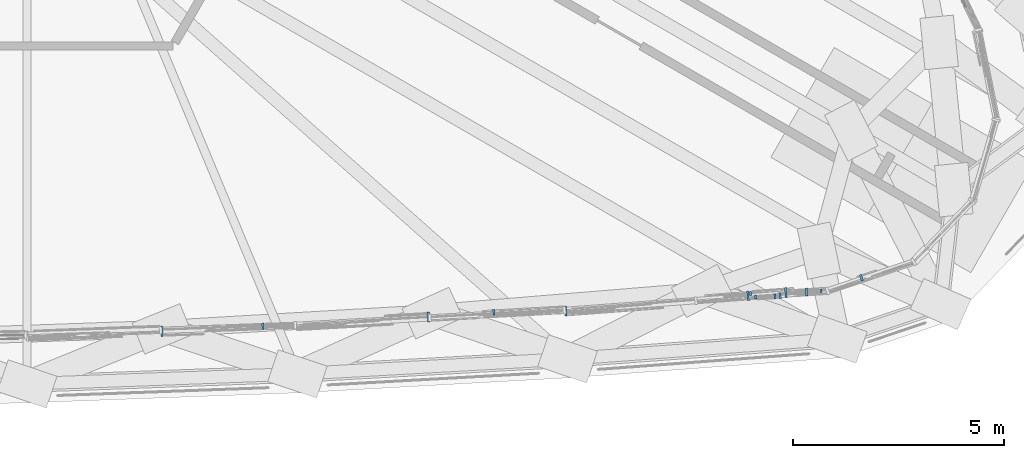
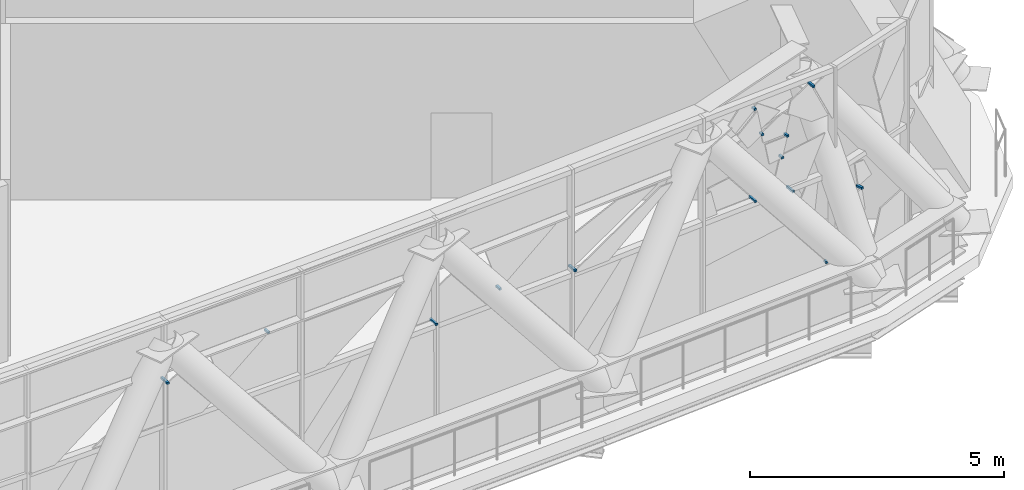
# One storey, part 35 of 43: 14 discrete accessories, 2 elements without a shape of their own.
"""IFC4 building model written with IfcOpenShell, lengths in metres."""

import ifcopenshell
import ifcopenshell.guid

model = None  # the IFC model being written
_history = None  # IfcOwnerHistory: only IFC2X3 demands one
_inside = {}  # id of a spatial element -> (the spatial element, [elements in it])
_under = {}  # id of a project, library or spatial element -> (it, [spatial elements below it])
_declared = {}  # id of a project -> (the project, [libraries it declares])
_typed = {}  # id of a type object -> (the type object, [elements of that type])
_made_of = {}  # id of a material, layer set ... -> (it, [elements and type objects made of it])


def new_model(schema):
    """Start an empty IFC model of exactly this schema.

    Asked for "IFC4X3", IfcOpenShell would pick the latest addendum, in which some entities
    have other attributes; the version numbers below select the first issue.
    IFC2X3 requires an IfcOwnerHistory on every rooted entity: one is made here for all.
    """
    global model, _history
    if schema == "IFC4X3":
        model = ifcopenshell.file(schema_version=(4, 3, 0, 0))
    else:
        model = ifcopenshell.file(schema=schema)
    _inside.clear()
    _under.clear()
    _declared.clear()
    _typed.clear()
    _made_of.clear()
    _history = None
    if model.schema == "IFC2X3":
        org = make("IfcOrganization", Name="unknown")
        user = make(
            "IfcPersonAndOrganization",
            ThePerson=make("IfcPerson", FamilyName="unknown"),
            TheOrganization=org,
        )
        app = make(
            "IfcApplication",
            ApplicationDeveloper=org,
            Version="unknown",
            ApplicationFullName="unknown",
            ApplicationIdentifier="unknown",
        )
        _history = make(
            "IfcOwnerHistory",
            OwningUser=user,
            OwningApplication=app,
            ChangeAction="ADDED",
            CreationDate=0,
        )
    return model


def make(cls, **values):
    """One entity of the class cls with the attributes given. An attribute that is None is left unset."""
    return model.create_entity(
        cls, **{name: value for name, value in values.items() if value is not None}
    )


def rooted(cls, **values):
    """An entity with a GlobalId (a new one), such as an element, a storey or a relation."""
    return make(cls, GlobalId=ifcopenshell.guid.new(), OwnerHistory=_history, **values)


def si_unit(unit_type, name, prefix=None):
    """IfcSIUnit, for example si_unit("LENGTHUNIT", "METRE", prefix="MILLI")."""
    return make("IfcSIUnit", UnitType=unit_type, Prefix=prefix, Name=name)


def assignment(units):
    """IfcUnitAssignment: the units of a project."""
    return None if units is None else make("IfcUnitAssignment", Units=units)


def point(xyz):
    """IfcCartesianPoint."""
    return None if xyz is None else make("IfcCartesianPoint", Coordinates=xyz)


def direction(xyz):
    """IfcDirection."""
    return None if xyz is None else make("IfcDirection", DirectionRatios=xyz)


def frame(location, z_axis=None, x_axis=None):
    """IfcAxis2Placement3D, a coordinate frame: its origin and axes. An axis left out is left unset."""
    return make(
        "IfcAxis2Placement3D",
        Location=point(location),
        Axis=direction(z_axis),
        RefDirection=direction(x_axis),
    )


def frame_2d(location, x_axis=None):
    """IfcAxis2Placement2D, a coordinate frame in the plane: its origin and x axis."""
    return make(
        "IfcAxis2Placement2D", Location=point(location), RefDirection=direction(x_axis)
    )


def origin():
    """The frame at (0, 0, 0) with its axes left unset."""
    return frame((0.0, 0.0, 0.0))


def origin_2d():
    """The frame at (0, 0) in the plane with its x axis left unset."""
    return frame_2d((0.0, 0.0))


def place(relative_to, where):
    """IfcLocalPlacement: puts the frame where relative to a parent placement (None: the world)."""
    return make(
        "IfcLocalPlacement", PlacementRelTo=relative_to, RelativePlacement=where
    )


def context(
    kind, dimensions, precision=None, world=None, true_north=None, identifier=None
):
    """IfcGeometricRepresentationContext, for example the 3D "Model" context."""
    return make(
        "IfcGeometricRepresentationContext",
        ContextIdentifier=identifier,
        ContextType=kind,
        CoordinateSpaceDimension=dimensions,
        Precision=precision,
        WorldCoordinateSystem=world,
        TrueNorth=true_north,
    )


def subcontext(parent, identifier, kind, view, scale=None):
    """IfcGeometricRepresentationSubContext, for example "Body" below "Model"."""
    return make(
        "IfcGeometricRepresentationSubContext",
        ContextIdentifier=identifier,
        ContextType=kind,
        ParentContext=parent,
        TargetScale=scale,
        TargetView=view,
    )


def project(units=None, contexts=None):
    """IfcProject with its units and contexts."""
    return rooted(
        "IfcProject",
        Name="project",
        RepresentationContexts=contexts,
        UnitsInContext=assignment(units),
    )


def spatial(cls, under=None, at=None, **own):
    """A site, building, storey or space (cls), placed at a placement, below another one or the project."""
    s = rooted(cls, ObjectPlacement=at, **own)
    if under is not None:
        _under.setdefault(under.id(), (under, []))[1].append(s)
    return s


def profile(cls, at=None, kind="AREA", **sizes):
    """A parametric profile (cls). Its sizes go by their IFC names, for example OverallWidth=200.0."""
    return make(cls, ProfileType=kind, Position=at, **sizes)


def rectangle(**sizes):
    """IfcRectangleProfileDef."""
    return profile("IfcRectangleProfileDef", **sizes)


def extrude(swept, where, along, depth):
    """IfcExtrudedAreaSolid: the profile swept, set in the frame where, extruded along a direction by depth."""
    return make(
        "IfcExtrudedAreaSolid",
        SweptArea=swept,
        Position=where,
        ExtrudedDirection=direction(along),
        Depth=depth,
    )


def shape(context_of_items, identifier, shape_type, items):
    """IfcShapeRepresentation: the items that make up one representation, for example the "Body"."""
    return make(
        "IfcShapeRepresentation",
        ContextOfItems=context_of_items,
        RepresentationIdentifier=identifier,
        RepresentationType=shape_type,
        Items=items,
    )


def material(Name=None, Category=None):
    """IfcMaterial."""
    return make("IfcMaterial", Name=Name, Category=Category)


def layer(
    of_material, thickness, ventilated=None, Name=None, Category=None, Priority=None
):
    """IfcMaterialLayer: one layer of a wall or slab, of a material (None: an air gap)."""
    return make(
        "IfcMaterialLayer",
        Material=of_material,
        LayerThickness=thickness,
        IsVentilated=ventilated,
        Name=Name,
        Category=Category,
        Priority=Priority,
    )


def layer_set(layers, Name=None):
    """IfcMaterialLayerSet."""
    return make("IfcMaterialLayerSet", MaterialLayers=layers, LayerSetName=Name)


def made_of(thing, what):
    """Note that an element or type object is made of a material, layer set ...; save() writes the relation."""
    if what is not None:
        _made_of.setdefault(what.id(), (what, []))[1].append(thing)
    return thing


def type_object(cls, material=None, **own):
    """A type object (cls), such as IfcWallType, which elements share."""
    return made_of(rooted(cls, **own), material)


def element(
    cls,
    number,
    at=None,
    inside=None,
    cuts=None,
    type_object=None,
    material=None,
    context=None,
    identifier="Body",
    shape_type=None,
    held_by="IfcProductDefinitionShape",
    body=None,
    shapes=None,
    **own,
):
    """One element of the class cls, such as IfcWall. Its Tag is "e" and its number.

    at: its placement. inside: the storey or other place that contains it. cuts: it is an
    opening in that element (IfcRelVoidsElement). A single representation is given by context,
    identifier, shape_type and body (its items); several are given by shapes. held_by: the class
    of the entity that holds the representations. save() writes the other relations.
    """
    e = rooted(cls, Tag="e%d" % number, ObjectPlacement=at, **own)
    if body is not None:
        shapes = [shape(context, identifier, shape_type, body)]
    if shapes is not None:
        e.Representation = make(held_by, Representations=shapes)
    if inside is not None:
        _inside.setdefault(inside.id(), (inside, []))[1].append(e)
    if cuts is not None:
        rooted(
            "IfcRelVoidsElement", RelatingBuildingElement=cuts, RelatedOpeningElement=e
        )
    if type_object is not None:
        _typed.setdefault(type_object.id(), (type_object, []))[1].append(e)
    return made_of(e, material)


def aggregate(whole, parts):
    """IfcRelAggregates: a whole, such as a stair, and the parts it consists of."""
    return rooted("IfcRelAggregates", RelatingObject=whole, RelatedObjects=parts)


def save(model, path):
    """Write the relations noted so far, then the file.

    IfcRelAggregates (storeys below a building ...), IfcRelContainedInSpatialStructure (elements
    in a storey), IfcRelDefinesByType, IfcRelAssociatesMaterial and IfcRelDeclares: one each for
    every whole, place, type object, material and project.
    """
    for whole, parts in _under.values():
        aggregate(whole, parts)
    for where, things in _inside.values():
        rooted(
            "IfcRelContainedInSpatialStructure",
            RelatedElements=things,
            RelatingStructure=where,
        )
    for kind, things in _typed.values():
        rooted("IfcRelDefinesByType", RelatedObjects=things, RelatingType=kind)
    for what, things in _made_of.values():
        rooted("IfcRelAssociatesMaterial", RelatedObjects=things, RelatingMaterial=what)
    for by, libraries in _declared.values():
        rooted("IfcRelDeclares", RelatingContext=by, RelatedDefinitions=libraries)
    model.write(path)


model = new_model("IFC4")

# Units and contexts
model_context = context("Model", 3, precision=1e-05, world=origin(), true_north=direction((0.0, 1.0)))
body_context = subcontext(model_context, "Body", "Model", "MODEL_VIEW")
ifc_project = project(units=[si_unit("LENGTHUNIT", "METRE"), si_unit("AREAUNIT", "SQUARE_METRE"), si_unit("VOLUMEUNIT", "CUBIC_METRE"), si_unit("PLANEANGLEUNIT", "RADIAN"), si_unit("MASSUNIT", "GRAM", prefix="KILO")], contexts=[model_context])

# Site, building, storey
site_placement = place(None, origin())
site = spatial("IfcSite", under=ifc_project, at=site_placement, CompositionType="ELEMENT")
building_placement = place(site_placement, origin())
building = spatial("IfcBuilding", under=site, at=building_placement, Name="Mestral Congress Tower", CompositionType="ELEMENT")
storey_placement = place(building_placement, frame((0.0, 0.0, 78.300048828125)))
storey = spatial("IfcBuildingStorey", under=building, at=storey_placement, Name="L18", CompositionType="ELEMENT", Elevation=78.300048828125)

# Curtain wall, discrete accessories
ifc_material_1 = material(Name="Clear low-emissivity double glazing", Category="glass")
curtain_wall_type = type_object("IfcCurtainWallType", Name="Facade refuge band screen", PredefinedType="USERDEFINED", material=ifc_material_1)
placement = place(storey_placement, origin())
curtain_wall_1 = element("IfcCurtainWall", 1, at=placement, inside=storey, type_object=curtain_wall_type, Name="Facade refuge band screen face 1", ObjectType="CURTAIN WALL", PredefinedType="USERDEFINED")
ifc_material_2 = material(Name="Steel S355", Category="steel")
ifc_layer = layer(ifc_material_2, 0.050048828125)
ifc_layer_set = layer_set([ifc_layer], Name="Steel S355")
discrete_accessory_type = type_object("IfcDiscreteAccessoryType", Name="Facade bracket", PredefinedType="BRACKET", material=ifc_layer_set)
discrete_accessory_1_placement = place(storey_placement, frame((15.17333984375, -21.431884765625, 3.91259765625), z_axis=(0.0, 0.0, 1.0), x_axis=(0.99931663898, 0.036962887577, 0.0)))
discrete_accessory_1 = element("IfcDiscreteAccessory", 2, at=discrete_accessory_1_placement, type_object=discrete_accessory_type, Name="Facade bracket", PredefinedType="BRACKET", context=body_context, shape_type="SweptSolid", body=[
    extrude(rectangle(XDim=0.050048828125, YDim=0.1435546875, at=origin_2d()), origin(), (0.0, 0.0, 1.0), 0.05029296875),
])
discrete_accessory_2_placement = place(storey_placement, frame((12.7841796875, -21.549072265625, 3.63232421875), z_axis=(0.0, 0.0, 1.0), x_axis=(0.999319023855, 0.036898354448, 0.0)))
discrete_accessory_2 = element("IfcDiscreteAccessory", 3, at=discrete_accessory_2_placement, type_object=discrete_accessory_type, Name="Facade bracket", PredefinedType="BRACKET", context=body_context, shape_type="SweptSolid", body=[
    extrude(rectangle(XDim=0.05126953125, YDim=0.244140625, at=origin_2d()), origin(), (0.0, 0.0, 1.0), 0.050048828125),
])
discrete_accessory_3_placement = place(storey_placement, frame((19.094482421875, -21.215087890625, 2.634765625), z_axis=(0.0, 0.0, 1.0), x_axis=(0.998462898463, 0.055424185989, 0.0)))
discrete_accessory_3 = element("IfcDiscreteAccessory", 4, at=discrete_accessory_3_placement, type_object=discrete_accessory_type, Name="Facade bracket", PredefinedType="BRACKET", context=body_context, shape_type="SweptSolid", body=[
    extrude(rectangle(XDim=0.050048828125, YDim=0.23876953125, at=origin_2d()), origin(), (0.0, 0.0, 1.0), 0.050048828125),
])
discrete_accessory_4_placement = place(storey_placement, frame((20.640380859375, -21.101318359375, 2.845703125), z_axis=(0.0, 0.0, 1.0), x_axis=(0.998461447119, 0.055450325668, 0.0)))
discrete_accessory_4 = element("IfcDiscreteAccessory", 5, at=discrete_accessory_4_placement, type_object=discrete_accessory_type, Name="Facade bracket", PredefinedType="BRACKET", context=body_context, shape_type="SweptSolid", body=[
    extrude(rectangle(XDim=0.05029296875, YDim=0.13818359375, at=origin_2d()), origin(), (0.0, 0.0, 1.0), 0.050537109375),
])
discrete_accessory_5_placement = place(storey_placement, frame((22.3408203125, -21.071533203125, 2.7001953125), z_axis=(0.0, 0.0, 1.0), x_axis=(0.997267232005, 0.073878738281, 0.0)))
discrete_accessory_5 = element("IfcDiscreteAccessory", 6, at=discrete_accessory_5_placement, type_object=discrete_accessory_type, Name="Facade bracket", PredefinedType="BRACKET", context=body_context, shape_type="SweptSolid", body=[
    extrude(rectangle(XDim=0.051025390625, YDim=0.233642578125, at=origin_2d()), origin(), (0.0, 0.0, 1.0), 0.050048828125),
])
discrete_accessory_6_placement = place(storey_placement, frame((28.38134765625, -20.59521484375, 0.4541015625), z_axis=(0.0, 0.0, 1.0), x_axis=(0.997270454623, 0.073835224219, 0.0)))
discrete_accessory_6 = element("IfcDiscreteAccessory", 7, at=discrete_accessory_6_placement, type_object=discrete_accessory_type, Name="Facade bracket", PredefinedType="BRACKET", context=body_context, shape_type="SweptSolid", body=[
    extrude(rectangle(XDim=0.05078125, YDim=0.080322265625, at=origin_2d()), origin(), (0.0, 0.0, 1.0), 0.050537109375),
])
discrete_accessory_7_placement = place(storey_placement, frame((27.54931640625, -20.63671875, 2.51513671875), z_axis=(0.0, 0.0, 1.0), x_axis=(0.997269423592, 0.073849148734, 0.0)))
discrete_accessory_7 = element("IfcDiscreteAccessory", 8, at=discrete_accessory_7_placement, type_object=discrete_accessory_type, Name="Facade bracket", PredefinedType="BRACKET", context=body_context, shape_type="SweptSolid", body=[
    extrude(rectangle(XDim=0.050048828125, YDim=0.236083984375, at=origin_2d()), origin(), (0.0, 0.0, 1.0), 0.050048828125),
])
discrete_accessory_8_placement = place(storey_placement, frame((27.290283203125, -20.722412109375, 3.44140625), z_axis=(0.0, 0.0, 1.0), x_axis=(0.997268263449, 0.073864813797, 0.0)))
discrete_accessory_8 = element("IfcDiscreteAccessory", 9, at=discrete_accessory_8_placement, type_object=discrete_accessory_type, Name="Facade bracket", PredefinedType="BRACKET", context=body_context, shape_type="SweptSolid", body=[
    extrude(rectangle(XDim=0.050048828125, YDim=0.1171875, at=origin_2d()), origin(), (0.0, 0.0, 1.0), 0.050048828125),
])
discrete_accessory_9_placement = place(storey_placement, frame((26.653564453125, -20.7099609375, 2.634765625), z_axis=(0.0, 0.0, 1.0), x_axis=(0.997262846196, 0.07393791718, 0.0)))
discrete_accessory_9 = element("IfcDiscreteAccessory", 10, at=discrete_accessory_9_placement, type_object=discrete_accessory_type, Name="Facade bracket", PredefinedType="BRACKET", context=body_context, shape_type="SweptSolid", body=[
    extrude(rectangle(XDim=0.050048828125, YDim=0.217529296875, at=origin_2d()), origin(), (0.0, 0.0, 1.0), 0.050048828125),
])
discrete_accessory_10_placement = place(storey_placement, frame((28.037353515625, -20.62451171875, 4.853515625), z_axis=(0.0, 0.0, 1.0), x_axis=(0.997270454623, 0.073835224219, 0.0)))
discrete_accessory_10 = element("IfcDiscreteAccessory", 11, at=discrete_accessory_10_placement, type_object=discrete_accessory_type, Name="Facade bracket", PredefinedType="BRACKET", context=body_context, shape_type="SweptSolid", body=[
    extrude(rectangle(XDim=0.05078125, YDim=0.1845703125, at=origin_2d()), origin(), (0.0, 0.0, 1.0), 0.05029296875),
])
discrete_accessory_11_placement = place(storey_placement, frame((27.4130859375, -20.710693359375, 3.9130859375), z_axis=(0.0, 0.0, 1.0), x_axis=(0.997265684473, 0.073899624981, 0.0)))
discrete_accessory_11 = element("IfcDiscreteAccessory", 12, at=discrete_accessory_11_placement, type_object=discrete_accessory_type, Name="Facade bracket", PredefinedType="BRACKET", context=body_context, shape_type="SweptSolid", body=[
    extrude(rectangle(XDim=0.050048828125, YDim=0.1201171875, at=origin_2d()), origin(), (0.0, 0.0, 1.0), 0.050048828125),
])
discrete_accessory_12_placement = place(storey_placement, frame((26.708984375, -20.66064453125, 4.76611328125), z_axis=(0.0, 0.0, 1.0), x_axis=(0.997268650191, 0.073859592111, 0.0)))
discrete_accessory_12 = element("IfcDiscreteAccessory", 13, at=discrete_accessory_12_placement, type_object=discrete_accessory_type, Name="Facade bracket", PredefinedType="BRACKET", context=body_context, shape_type="SweptSolid", body=[
    extrude(rectangle(XDim=0.050048828125, YDim=0.09375, at=origin_2d()), origin(), (0.0, 0.0, 1.0), 0.050048828125),
])
discrete_accessory_13_placement = place(storey_placement, frame((26.833740234375, -20.73828125, 4.15869140625), z_axis=(0.0, 0.0, 1.0), x_axis=(0.997265039539, 0.073908327763, 0.0)))
discrete_accessory_13 = element("IfcDiscreteAccessory", 14, at=discrete_accessory_13_placement, type_object=discrete_accessory_type, Name="Facade bracket", PredefinedType="BRACKET", context=body_context, shape_type="SweptSolid", body=[
    extrude(rectangle(XDim=0.05029296875, YDim=0.08984375, at=origin_2d()), origin(), (0.0, 0.0, 1.0), 0.050048828125),
])
aggregate(curtain_wall_1, [discrete_accessory_1, discrete_accessory_2, discrete_accessory_3, discrete_accessory_4, discrete_accessory_5, discrete_accessory_6, discrete_accessory_7, discrete_accessory_8, discrete_accessory_9, discrete_accessory_10, discrete_accessory_11, discrete_accessory_12, discrete_accessory_13])

# Curtain wall, discrete accessory
curtain_wall_2 = element("IfcCurtainWall", 15, at=placement, inside=storey, type_object=curtain_wall_type, Name="Facade refuge band screen corner 1", ObjectType="CURTAIN WALL", PredefinedType="USERDEFINED")
discrete_accessory_14_placement = place(storey_placement, frame((29.3349609375, -20.28125, 1.727783203125), z_axis=(0.0, 0.0, 1.0), x_axis=(0.94795751739, 0.318396836076, 0.0)))
discrete_accessory_14 = element("IfcDiscreteAccessory", 16, at=discrete_accessory_14_placement, type_object=discrete_accessory_type, Name="Facade bracket", PredefinedType="BRACKET", context=body_context, shape_type="SweptSolid", body=[
    extrude(rectangle(XDim=0.055419921875, YDim=0.14794921875, at=origin_2d()), origin(), (0.0, 0.0, 1.0), 0.05078125),
])
aggregate(curtain_wall_2, [discrete_accessory_14])

save(model, "model.ifc")
